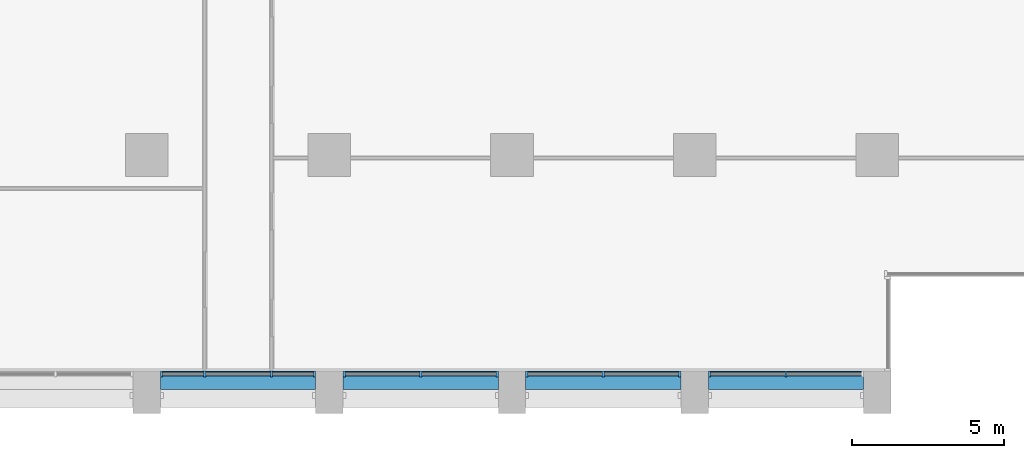
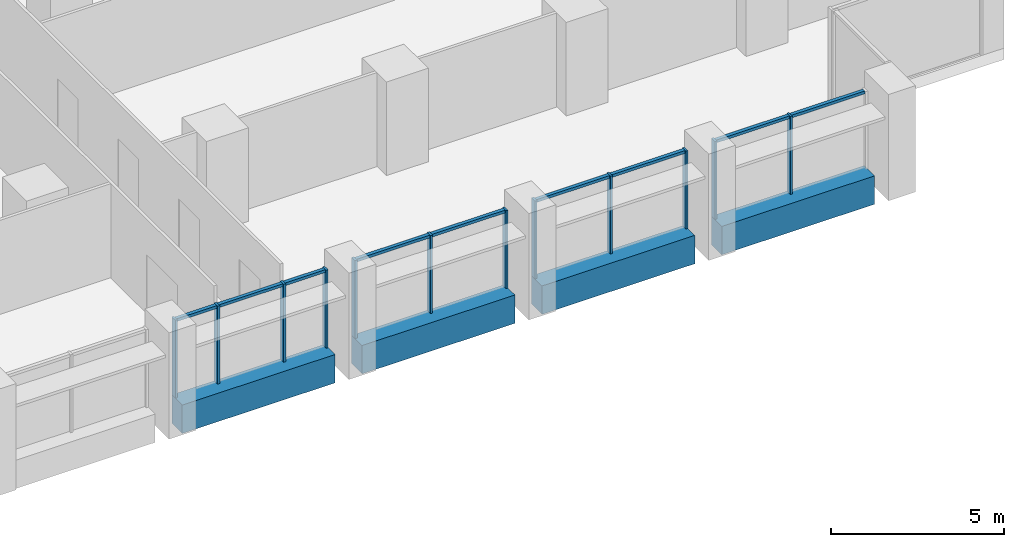
# One storey, part 3 of 17: 21 members, 4 beams, 4 elements without a shape of their own.
"""IFC4 building model written with IfcOpenShell, lengths in metres."""

from ifc_helpers import new_model, si_unit, direction, frame, origin, origin_2d, place, context, subcontext, project, spatial, rectangle, extrude, material, material_profile, profile_set, type_object, element, aggregate, save


model = new_model("IFC4")

# Units and contexts
model_context = context("Model", 3, precision=1e-05, world=origin(), true_north=direction((0.0, 1.0)))
body_context = subcontext(model_context, "Body", "Model", "MODEL_VIEW")
ifc_project = project(units=[si_unit("LENGTHUNIT", "METRE"), si_unit("AREAUNIT", "SQUARE_METRE"), si_unit("VOLUMEUNIT", "CUBIC_METRE"), si_unit("PLANEANGLEUNIT", "RADIAN"), si_unit("MASSUNIT", "GRAM", prefix="KILO")], contexts=[model_context])

# Site, building, storey
site_placement = place(None, origin())
site = spatial("IfcSite", under=ifc_project, at=site_placement, CompositionType="ELEMENT")
building_placement = place(site_placement, origin())
building = spatial("IfcBuilding", under=site, at=building_placement, Name="Calvaro Tower", CompositionType="ELEMENT")
storey_placement = place(building_placement, frame((0.0, 0.0, 102.5)))
storey = spatial("IfcBuildingStorey", under=building, at=storey_placement, Name="L25", CompositionType="ELEMENT", Elevation=102.5)

# Curtain wall, members
ifc_material_1 = material(Name="Anodised aluminium", Category="aluminium")
curtain_wall_type = type_object("IfcCurtainWallType", Name="Office curtain wall, middle zone", PredefinedType="NOTDEFINED", material=ifc_material_1)
curtain_wall_1_placement = place(storey_placement, origin())
curtain_wall_1 = element("IfcCurtainWall", 1, at=curtain_wall_1_placement, inside=storey, type_object=curtain_wall_type, Name="CW2 south curtain wall", PredefinedType="NOTDEFINED")
ifc_material_2 = material(Name="Anodised aluminium", Category="aluminium")
ifc_material_profile_1 = material_profile(ifc_material_2, rectangle(XDim=0.199951171875, YDim=0.070068359375, at=origin_2d()), Name="Mullion S2 70 x 200")
ifc_profile_set_1 = profile_set([ifc_material_profile_1], Name="Anodised aluminium")
member_type_1 = type_object("IfcMemberType", Name="Mullion S2 70 x 200", PredefinedType="MULLION", material=ifc_profile_set_1)
member_1_placement = place(storey_placement, frame((42.485107421875, 2.800048828125, 0.0), z_axis=(0.0, 0.0, 1.0), x_axis=(0.0, 1.0, 0.0)))
member_1 = element("IfcMember", 2, at=member_1_placement, type_object=member_type_1, Name="CW2 mullion 1", PredefinedType="MULLION", context=body_context, shape_type="SweptSolid", body=[
    extrude(rectangle(XDim=0.199951171875, YDim=0.070068359375, at=origin_2d()), origin(), (0.0, 0.0, 1.0), 2.75),
])
member_2_placement = place(storey_placement, frame((43.89990234375, 2.800048828125, 0.0), z_axis=(0.0, 0.0, 1.0), x_axis=(0.0, 1.0, 0.0)))
member_2 = element("IfcMember", 3, at=member_2_placement, type_object=member_type_1, Name="CW2 mullion 2", PredefinedType="MULLION", context=body_context, shape_type="SweptSolid", body=[
    extrude(rectangle(XDim=0.199951171875, YDim=0.070068359375, at=origin_2d()), origin(), (0.0, 0.0, 1.0), 2.75),
])
member_3_placement = place(storey_placement, frame((46.10009765625, 2.800048828125, 0.0), z_axis=(0.0, 0.0, 1.0), x_axis=(0.0, 1.0, 0.0)))
member_3 = element("IfcMember", 4, at=member_3_placement, type_object=member_type_1, Name="CW2 mullion 3", PredefinedType="MULLION", context=body_context, shape_type="SweptSolid", body=[
    extrude(rectangle(XDim=0.199951171875, YDim=0.070068359375, at=origin_2d()), origin(), (0.0, 0.0, 1.0), 2.75),
])
member_4_placement = place(storey_placement, frame((47.514892578125, 2.800048828125, 0.0), z_axis=(0.0, 0.0, 1.0), x_axis=(0.0, 1.0, 0.0)))
member_4 = element("IfcMember", 5, at=member_4_placement, type_object=member_type_1, Name="CW2 mullion 4", PredefinedType="MULLION", context=body_context, shape_type="SweptSolid", body=[
    extrude(rectangle(XDim=0.199951171875, YDim=0.070068359375, at=origin_2d()), origin(), (0.0, 0.0, 1.0), 2.75),
])

curtain_wall_2_placement = place(storey_placement, origin())
curtain_wall_2 = element("IfcCurtainWall", 6, at=curtain_wall_2_placement, inside=storey, type_object=curtain_wall_type, Name="CW2 south curtain wall", PredefinedType="NOTDEFINED")
member_5_placement = place(storey_placement, frame((48.485107421875, 2.800048828125, 0.0), z_axis=(0.0, 0.0, 1.0), x_axis=(0.0, 1.0, 0.0)))
member_5 = element("IfcMember", 7, at=member_5_placement, type_object=member_type_1, Name="CW2 mullion 1", PredefinedType="MULLION", context=body_context, shape_type="SweptSolid", body=[
    extrude(rectangle(XDim=0.199951171875, YDim=0.070068359375, at=origin_2d()), origin(), (0.0, 0.0, 1.0), 2.75),
])
member_6_placement = place(storey_placement, frame((51.0, 2.800048828125, 0.0), z_axis=(0.0, 0.0, 1.0), x_axis=(0.0, 1.0, 0.0)))
member_6 = element("IfcMember", 8, at=member_6_placement, type_object=member_type_1, Name="CW2 mullion 2", PredefinedType="MULLION", context=body_context, shape_type="SweptSolid", body=[
    extrude(rectangle(XDim=0.199951171875, YDim=0.070068359375, at=origin_2d()), origin(), (0.0, 0.0, 1.0), 2.75),
])
member_7_placement = place(storey_placement, frame((53.514892578125, 2.800048828125, 0.0), z_axis=(0.0, 0.0, 1.0), x_axis=(0.0, 1.0, 0.0)))
member_7 = element("IfcMember", 9, at=member_7_placement, type_object=member_type_1, Name="CW2 mullion 3", PredefinedType="MULLION", context=body_context, shape_type="SweptSolid", body=[
    extrude(rectangle(XDim=0.199951171875, YDim=0.070068359375, at=origin_2d()), origin(), (0.0, 0.0, 1.0), 2.75),
])

curtain_wall_3_placement = place(storey_placement, origin())
curtain_wall_3 = element("IfcCurtainWall", 10, at=curtain_wall_3_placement, inside=storey, type_object=curtain_wall_type, Name="CW2 south curtain wall", PredefinedType="NOTDEFINED")
member_8_placement = place(storey_placement, frame((54.485107421875, 2.800048828125, 0.0), z_axis=(0.0, 0.0, 1.0), x_axis=(0.0, 1.0, 0.0)))
member_8 = element("IfcMember", 11, at=member_8_placement, type_object=member_type_1, Name="CW2 mullion 1", PredefinedType="MULLION", context=body_context, shape_type="SweptSolid", body=[
    extrude(rectangle(XDim=0.199951171875, YDim=0.070068359375, at=origin_2d()), origin(), (0.0, 0.0, 1.0), 2.75),
])
member_9_placement = place(storey_placement, frame((57.0, 2.800048828125, 0.0), z_axis=(0.0, 0.0, 1.0), x_axis=(0.0, 1.0, 0.0)))
member_9 = element("IfcMember", 12, at=member_9_placement, type_object=member_type_1, Name="CW2 mullion 2", PredefinedType="MULLION", context=body_context, shape_type="SweptSolid", body=[
    extrude(rectangle(XDim=0.199951171875, YDim=0.070068359375, at=origin_2d()), origin(), (0.0, 0.0, 1.0), 2.75),
])
member_10_placement = place(storey_placement, frame((59.514892578125, 2.800048828125, 0.0), z_axis=(0.0, 0.0, 1.0), x_axis=(0.0, 1.0, 0.0)))
member_10 = element("IfcMember", 13, at=member_10_placement, type_object=member_type_1, Name="CW2 mullion 3", PredefinedType="MULLION", context=body_context, shape_type="SweptSolid", body=[
    extrude(rectangle(XDim=0.199951171875, YDim=0.070068359375, at=origin_2d()), origin(), (0.0, 0.0, 1.0), 2.75),
])

curtain_wall_4_placement = place(storey_placement, origin())
curtain_wall_4 = element("IfcCurtainWall", 14, at=curtain_wall_4_placement, inside=storey, type_object=curtain_wall_type, Name="CW2 south curtain wall", PredefinedType="NOTDEFINED")
member_11_placement = place(storey_placement, frame((60.485107421875, 2.800048828125, 0.0), z_axis=(0.0, 0.0, 1.0), x_axis=(0.0, 1.0, 0.0)))
member_11 = element("IfcMember", 15, at=member_11_placement, type_object=member_type_1, Name="CW2 mullion 1", PredefinedType="MULLION", context=body_context, shape_type="SweptSolid", body=[
    extrude(rectangle(XDim=0.199951171875, YDim=0.070068359375, at=origin_2d()), origin(), (0.0, 0.0, 1.0), 2.75),
])
member_12_placement = place(storey_placement, frame((63.0, 2.800048828125, 0.0), z_axis=(0.0, 0.0, 1.0), x_axis=(0.0, 1.0, 0.0)))
member_12 = element("IfcMember", 16, at=member_12_placement, type_object=member_type_1, Name="CW2 mullion 2", PredefinedType="MULLION", context=body_context, shape_type="SweptSolid", body=[
    extrude(rectangle(XDim=0.199951171875, YDim=0.070068359375, at=origin_2d()), origin(), (0.0, 0.0, 1.0), 2.75),
])

# Beams
ifc_material_3 = material(Name="Concrete C50/60 precast", Category="concrete")
ifc_material_profile_2 = material_profile(ifc_material_3, rectangle(XDim=0.60009765625, YDim=1.0, at=origin_2d()), Name="RC 600x1000")
ifc_profile_set_2 = profile_set([ifc_material_profile_2], Name="Concrete C50/60 precast")
beam_type = type_object("IfcBeamType", Name="Spandrel beam 600x1000 C50/60", PredefinedType="SPANDREL", material=ifc_profile_set_2)
for number, where, z_axis, x_axis, name in (
    (17, (42.449951171875, 2.60009765625, -0.5), (1.0, 0.0, 0.0), (0.0, 1.0, 0.0), "Spandrel beam"),
    (18, (48.449951171875, 2.60009765625, -0.5), (1.0, 0.0, 0.0), (0.0, 1.0, 0.0), "Spandrel beam"),
    (19, (54.449951171875, 2.60009765625, -0.5), (1.0, 0.0, 0.0), (0.0, 1.0, 0.0), "Spandrel beam"),
    (20, (60.449951171875, 2.60009765625, -0.5), (1.0, 0.0, 0.0), (0.0, 1.0, 0.0), "Spandrel beam"),
):
    element("IfcBeam", number, at=place(storey_placement, frame(where, z_axis=z_axis, x_axis=x_axis)), inside=storey, type_object=beam_type, Name=name, PredefinedType="SPANDREL", context=body_context, shape_type="SweptSolid", body=[
        extrude(rectangle(XDim=0.60009765625, YDim=1.0, at=origin_2d()), origin(), (0.0, 0.0, 1.0), 5.10009765625),
    ])

# Member
ifc_material_4 = material(Name="Anodised aluminium", Category="aluminium")
ifc_material_profile_3 = material_profile(ifc_material_4, rectangle(XDim=0.1201171875, YDim=0.10009765625, at=origin_2d()), Name="Transom S2 100 x 120")
ifc_profile_set_3 = profile_set([ifc_material_profile_3], Name="Anodised aluminium")
member_type_2 = type_object("IfcMemberType", Name="Transom S2 100 x 120", PredefinedType="USERDEFINED", material=ifc_profile_set_3)
member_13_placement = place(storey_placement, frame((42.52001953125, 2.800048828125, 2.699951171875), z_axis=(1.0, 0.0, 0.0), x_axis=(0.0, 1.0, 0.0)))
member_13 = element("IfcMember", 21, at=member_13_placement, type_object=member_type_2, Name="CW2 transom 1.1", ObjectType="TRANSOM", PredefinedType="USERDEFINED", context=body_context, shape_type="SweptSolid", body=[
    extrude(rectangle(XDim=0.1201171875, YDim=0.10009765625, at=origin_2d()), origin(), (0.0, 0.0, 1.0), 1.344970703125),
])

member_14_placement = place(storey_placement, frame((43.93505859375, 2.800048828125, 2.699951171875), z_axis=(1.0, 0.0, 0.0), x_axis=(0.0, 1.0, 0.0)))
member_14 = element("IfcMember", 22, at=member_14_placement, type_object=member_type_2, Name="CW2 transom 2.1", ObjectType="TRANSOM", PredefinedType="USERDEFINED", context=body_context, shape_type="SweptSolid", body=[
    extrude(rectangle(XDim=0.1201171875, YDim=0.10009765625, at=origin_2d()), origin(), (0.0, 0.0, 1.0), 2.1298828125),
])

member_15_placement = place(storey_placement, frame((46.135009765625, 2.800048828125, 2.699951171875), z_axis=(1.0, 0.0, 0.0), x_axis=(0.0, 1.0, 0.0)))
member_15 = element("IfcMember", 23, at=member_15_placement, type_object=member_type_2, Name="CW2 transom 3.1", ObjectType="TRANSOM", PredefinedType="USERDEFINED", context=body_context, shape_type="SweptSolid", body=[
    extrude(rectangle(XDim=0.1201171875, YDim=0.10009765625, at=origin_2d()), origin(), (0.0, 0.0, 1.0), 1.344970703125),
])

aggregate(curtain_wall_1, [member_1, member_2, member_3, member_4, member_13, member_14, member_15])

member_16_placement = place(storey_placement, frame((48.52001953125, 2.800048828125, 2.699951171875), z_axis=(1.0, 0.0, 0.0), x_axis=(0.0, 1.0, 0.0)))
member_16 = element("IfcMember", 24, at=member_16_placement, type_object=member_type_2, Name="CW2 transom 1.1", ObjectType="TRANSOM", PredefinedType="USERDEFINED", context=body_context, shape_type="SweptSolid", body=[
    extrude(rectangle(XDim=0.1201171875, YDim=0.10009765625, at=origin_2d()), origin(), (0.0, 0.0, 1.0), 2.445068359375),
])

member_17_placement = place(storey_placement, frame((51.034912109375, 2.800048828125, 2.699951171875), z_axis=(1.0, 0.0, 0.0), x_axis=(0.0, 1.0, 0.0)))
member_17 = element("IfcMember", 25, at=member_17_placement, type_object=member_type_2, Name="CW2 transom 2.1", ObjectType="TRANSOM", PredefinedType="USERDEFINED", context=body_context, shape_type="SweptSolid", body=[
    extrude(rectangle(XDim=0.1201171875, YDim=0.10009765625, at=origin_2d()), origin(), (0.0, 0.0, 1.0), 2.445068359375),
])

aggregate(curtain_wall_2, [member_5, member_6, member_7, member_16, member_17])

member_18_placement = place(storey_placement, frame((54.52001953125, 2.800048828125, 2.699951171875), z_axis=(1.0, 0.0, 0.0), x_axis=(0.0, 1.0, 0.0)))
member_18 = element("IfcMember", 26, at=member_18_placement, type_object=member_type_2, Name="CW2 transom 1.1", ObjectType="TRANSOM", PredefinedType="USERDEFINED", context=body_context, shape_type="SweptSolid", body=[
    extrude(rectangle(XDim=0.1201171875, YDim=0.10009765625, at=origin_2d()), origin(), (0.0, 0.0, 1.0), 2.445068359375),
])

member_19_placement = place(storey_placement, frame((57.034912109375, 2.800048828125, 2.699951171875), z_axis=(1.0, 0.0, 0.0), x_axis=(0.0, 1.0, 0.0)))
member_19 = element("IfcMember", 27, at=member_19_placement, type_object=member_type_2, Name="CW2 transom 2.1", ObjectType="TRANSOM", PredefinedType="USERDEFINED", context=body_context, shape_type="SweptSolid", body=[
    extrude(rectangle(XDim=0.1201171875, YDim=0.10009765625, at=origin_2d()), origin(), (0.0, 0.0, 1.0), 2.445068359375),
])

aggregate(curtain_wall_3, [member_8, member_9, member_10, member_18, member_19])

member_20_placement = place(storey_placement, frame((60.52001953125, 2.800048828125, 2.699951171875), z_axis=(1.0, 0.0, 0.0), x_axis=(0.0, 1.0, 0.0)))
member_20 = element("IfcMember", 28, at=member_20_placement, type_object=member_type_2, Name="CW2 transom 1.1", ObjectType="TRANSOM", PredefinedType="USERDEFINED", context=body_context, shape_type="SweptSolid", body=[
    extrude(rectangle(XDim=0.1201171875, YDim=0.10009765625, at=origin_2d()), origin(), (0.0, 0.0, 1.0), 2.445068359375),
])

member_21_placement = place(storey_placement, frame((63.034912109375, 2.800048828125, 2.699951171875), z_axis=(1.0, 0.0, 0.0), x_axis=(0.0, 1.0, 0.0)))
member_21 = element("IfcMember", 29, at=member_21_placement, type_object=member_type_2, Name="CW2 transom 2.1", ObjectType="TRANSOM", PredefinedType="USERDEFINED", context=body_context, shape_type="SweptSolid", body=[
    extrude(rectangle(XDim=0.1201171875, YDim=0.10009765625, at=origin_2d()), origin(), (0.0, 0.0, 1.0), 2.445068359375),
])

aggregate(curtain_wall_4, [member_11, member_12, member_20, member_21])

save(model, "model.ifc")
